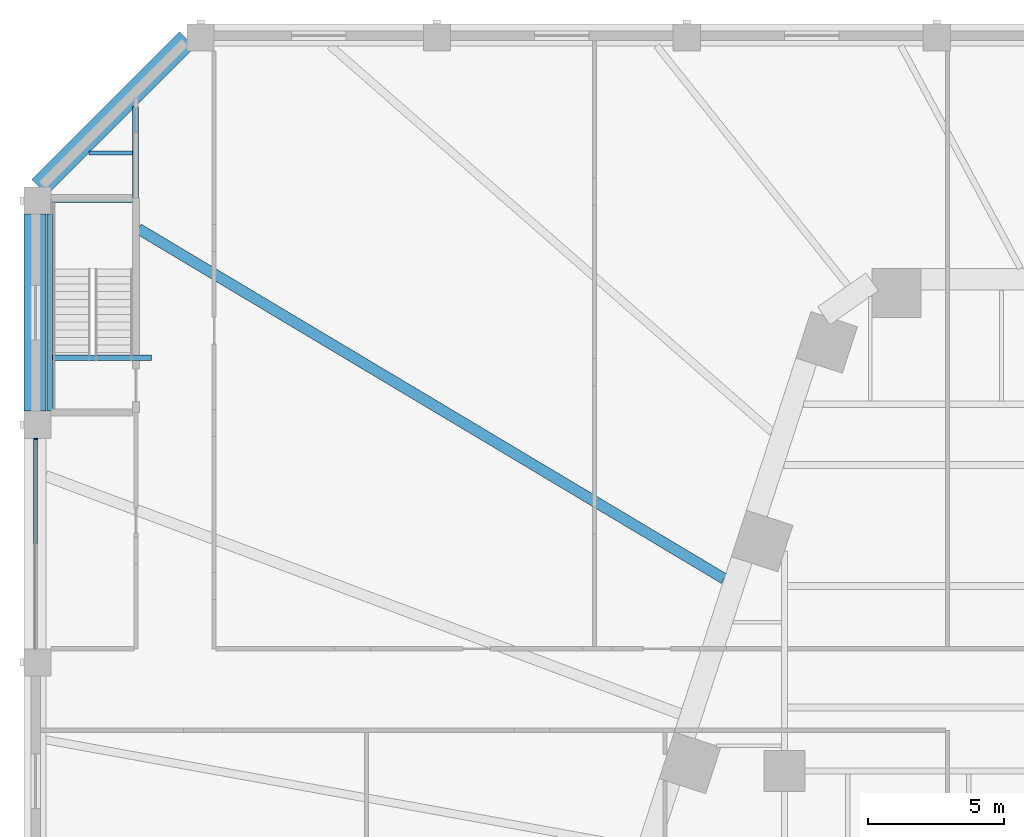
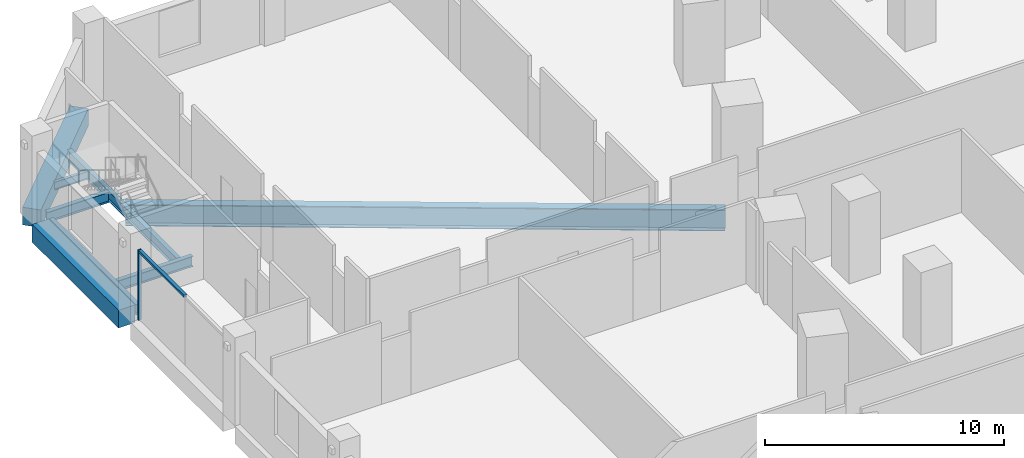
# One storey, part 10 of 33: 8 beams, 2 members, 1 element without a shape of its own.
"""IFC4 building model written with IfcOpenShell, lengths in metres."""

from ifc_helpers import new_model, si_unit, direction, frame, origin, origin_2d, place, context, subcontext, project, spatial, rectangle, i_section, extrude, material, layer, layer_set, material_profile, profile_set, type_object, element, aggregate, save


model = new_model("IFC4")

# Units and contexts
model_context = context("Model", 3, precision=1e-05, world=origin(), true_north=direction((0.0, 1.0)))
body_context = subcontext(model_context, "Body", "Model", "MODEL_VIEW")
ifc_project = project(units=[si_unit("LENGTHUNIT", "METRE"), si_unit("AREAUNIT", "SQUARE_METRE"), si_unit("VOLUMEUNIT", "CUBIC_METRE"), si_unit("PLANEANGLEUNIT", "RADIAN"), si_unit("MASSUNIT", "GRAM", prefix="KILO")], contexts=[model_context])

# Site, building, storey
site_placement = place(None, origin())
site = spatial("IfcSite", under=ifc_project, at=site_placement, CompositionType="ELEMENT")
building_placement = place(site_placement, origin())
building = spatial("IfcBuilding", under=site, at=building_placement, Name="Isthmus Gate Tower", CompositionType="ELEMENT")
storey_placement = place(building_placement, frame((0.0, 0.0, 22.5)))
storey = spatial("IfcBuildingStorey", under=building, at=storey_placement, Name="L03", CompositionType="ELEMENT", Elevation=22.5)

# Curtain wall, members
ifc_material_1 = material(Name="Aluminium, pale champagne anodised", Category="aluminium")
ifc_layer = layer(ifc_material_1, 0.14990234375)
ifc_layer_set = layer_set([ifc_layer], Name="CW-3 STOREFRONT CURTAIN WALL 150 DEEP")
curtain_wall_type = type_object("IfcCurtainWallType", Name="CW-3 STOREFRONT CURTAIN WALL 150 DEEP", PredefinedType="NOTDEFINED", material=ifc_layer_set)
curtain_wall_placement = place(storey_placement, origin())
curtain_wall = element("IfcCurtainWall", 1, at=curtain_wall_placement, inside=storey, type_object=curtain_wall_type, Name="CW-3 W L03", PredefinedType="NOTDEFINED")
ifc_material_2 = material(Name="Aluminium, pale champagne anodised", Category="aluminium")
ifc_material_profile_1 = material_profile(ifc_material_2, rectangle(XDim=0.06005859375, YDim=0.14990234375, at=origin_2d()), Name="60x150")
ifc_profile_set_1 = profile_set([ifc_material_profile_1], Name="Aluminium, pale champagne anodised")
member_type_1 = type_object("IfcMemberType", Name="CW-3 MULLION 60 X 150", PredefinedType="MULLION", material=ifc_profile_set_1)
member_1_placement = place(storey_placement, frame((-51.574951171875, 25.719970703125, -0.300048828125), z_axis=(0.0, 0.0, 1.0), x_axis=(0.0, -1.0, 0.0)))
member_1 = element("IfcMember", 2, at=member_1_placement, type_object=member_type_1, Name="CW-3 mullion", PredefinedType="MULLION", context=body_context, shape_type="SweptSolid", body=[
    extrude(rectangle(XDim=0.06005859375, YDim=0.14990234375, at=origin_2d()), origin(), (0.0, 0.0, 1.0), 3.60009765625),
])
ifc_material_3 = material(Name="Aluminium, pale champagne anodised", Category="aluminium")
ifc_material_profile_2 = material_profile(ifc_material_3, rectangle(XDim=0.14990234375, YDim=0.1201171875, at=origin_2d()), Name="150x120")
ifc_profile_set_2 = profile_set([ifc_material_profile_2], Name="Aluminium, pale champagne anodised")
member_type_2 = type_object("IfcMemberType", Name="CW-3 TRANSOM 150 X 120", PredefinedType="USERDEFINED", material=ifc_profile_set_2)
member_2_placement = place(storey_placement, frame((-51.574951171875, 25.68994140625, 3.239990234375), z_axis=(0.0, -1.0, 0.0), x_axis=(1.0, 0.0, 0.0)))
member_2 = element("IfcMember", 3, at=member_2_placement, type_object=member_type_2, Name="CW-3 transom", ObjectType="TRANSOM", PredefinedType="USERDEFINED", context=body_context, shape_type="SweptSolid", body=[
    extrude(rectangle(XDim=0.14990234375, YDim=0.1201171875, at=origin_2d()), origin(), (0.0, 0.0, 1.0), 3.81494140625),
])
aggregate(curtain_wall, [member_1, member_2])

# Beams
ifc_material_4 = material(Name="Concrete f'c 70 MPa", Category="concrete")
ifc_material_profile_3 = material_profile(ifc_material_4, rectangle(XDim=0.800048828125, YDim=0.89990234375, at=origin_2d()), Name="RC 800X900")
ifc_profile_set_3 = profile_set([ifc_material_profile_3], Name="Concrete f'c 70 MPa")
beam_type_1 = type_object("IfcBeamType", Name="RC EDGE BEAM 800 X 900", PredefinedType="BEAM", material=ifc_profile_set_3)
beam_1_placement = place(storey_placement, frame((-51.60009765625, 26.75, -0.75), z_axis=(0.0, 1.0, 0.0), x_axis=(-1.0, 0.0, 0.0)))
element("IfcBeam", 4, at=beam_1_placement, inside=storey, type_object=beam_type_1, Name="str-edgebeam-L03-07", PredefinedType="BEAM", context=body_context, shape_type="SweptSolid", body=[
    extrude(rectangle(XDim=0.800048828125, YDim=0.89990234375, at=origin_2d()), origin(), (0.0, 0.0, 1.0), 7.25),
])
beam_2_placement = place(storey_placement, frame((-51.434326171875, 35.0, -0.75), z_axis=(0.707106781187, 0.707106781187, 0.0), x_axis=(-0.707106781187, 0.707106781187, 0.0)))
element("IfcBeam", 5, at=beam_2_placement, inside=storey, type_object=beam_type_1, Name="str-edgebeam-L03-08", PredefinedType="BEAM", context=body_context, shape_type="SweptSolid", body=[
    extrude(rectangle(XDim=0.800048828125, YDim=0.89990234375, at=origin_2d()), origin(), (0.0, 0.0, 1.0), 7.685302734375),
])
ifc_material_5 = material(Name="Structural steel ASTM A992 Gr 50", Category="steel")
ifc_material_profile_4 = material_profile(ifc_material_5, i_section(OverallWidth=0.1396484375, OverallDepth=0.4033203125, WebThickness=0.00634765625, FlangeThickness=0.010986328125, at=origin_2d()), Name="W16X31")
ifc_profile_set_4 = profile_set([ifc_material_profile_4], Name="Structural steel ASTM A992 Gr 50")
beam_type_2 = type_object("IfcBeamType", Name="STEEL FLOOR BEAM W16X31", PredefinedType="JOIST", material=ifc_profile_set_4)
beam_3_placement = place(storey_placement, frame((-49.616943359375, 36.25146484375, -0.501708984375), z_axis=(1.0, 0.0, 0.0), x_axis=(0.0, 1.0, 0.0)))
element("IfcBeam", 6, at=beam_3_placement, inside=storey, type_object=beam_type_2, Name="str-beam-L03-04-00", PredefinedType="JOIST", context=body_context, shape_type="SweptSolid", body=[
    extrude(i_section(OverallWidth=0.1396484375, OverallDepth=0.4033203125, WebThickness=0.00634765625, FlangeThickness=0.010986328125, at=origin_2d()), origin(), (0.0, 0.0, 1.0), 1.616943359375),
])
ifc_material_6 = material(Name="Structural steel ASTM A992 Gr 50", Category="steel")
ifc_material_profile_5 = material_profile(ifc_material_6, i_section(OverallWidth=0.39990234375, OverallDepth=1.089111328125, WebThickness=0.017578125, FlangeThickness=0.03173828125, at=origin_2d()), Name="W44X230")
ifc_profile_set_5 = profile_set([ifc_material_profile_5], Name="Structural steel ASTM A992 Gr 50")
beam_type_3 = type_object("IfcBeamType", Name="STEEL FLOOR BEAM W44X230", PredefinedType="JOIST", material=ifc_profile_set_5)
beam_4_placement = place(storey_placement, frame((-26.225341796875, 20.578125, -0.844482421875), z_axis=(-0.858450144388, 0.512897016564, 0.0), x_axis=(-0.512897016564, -0.858450144388, 0.0)))
element("IfcBeam", 7, at=beam_4_placement, inside=storey, type_object=beam_type_3, Name="str-beam-L03-15-15", PredefinedType="JOIST", context=body_context, shape_type="SweptSolid", body=[
    extrude(i_section(OverallWidth=0.39990234375, OverallDepth=1.089111328125, WebThickness=0.017578125, FlangeThickness=0.03173828125, at=origin_2d()), origin(), (0.0, 0.0, 1.0), 25.12109375),
])
ifc_material_7 = material(Name="Structural steel ASTM A992 Gr 50", Category="steel")
ifc_material_profile_6 = material_profile(ifc_material_7, i_section(OverallWidth=0.20947265625, OverallDepth=0.533447265625, WebThickness=0.009521484375, FlangeThickness=0.015869140625, at=origin_2d()), Name="W21X62")
ifc_profile_set_6 = profile_set([ifc_material_profile_6], Name="Structural steel ASTM A992 Gr 50")
beam_type_4 = type_object("IfcBeamType", Name="STEEL TRIMMER W21X62", PredefinedType="BEAM", material=ifc_profile_set_6)
beam_5_placement = place(storey_placement, frame((-47.895263671875, 28.824951171875, -0.566650390625), z_axis=(0.0, 1.0, 0.0), x_axis=(-1.0, 0.0, 0.0)))
element("IfcBeam", 8, at=beam_5_placement, inside=storey, type_object=beam_type_4, Name="str-trimmer-L03-09", PredefinedType="BEAM", context=body_context, shape_type="SweptSolid", body=[
    extrude(i_section(OverallWidth=0.20947265625, OverallDepth=0.533447265625, WebThickness=0.009521484375, FlangeThickness=0.015869140625, at=origin_2d()), origin(), (0.0, 0.0, 1.0), 9.1484375),
])
beam_6_placement = place(storey_placement, frame((-51.0546875, 34.0, -0.566650390625), z_axis=(0.0, -1.0, 0.0), x_axis=(1.0, 0.0, 0.0)))
element("IfcBeam", 9, at=beam_6_placement, inside=storey, type_object=beam_type_4, Name="str-trimmer-L03-10", PredefinedType="BEAM", context=body_context, shape_type="SweptSolid", body=[
    extrude(i_section(OverallWidth=0.20947265625, OverallDepth=0.533447265625, WebThickness=0.009521484375, FlangeThickness=0.015869140625, at=origin_2d()), origin(), (0.0, 0.0, 1.0), 7.25),
])
beam_7_placement = place(storey_placement, frame((-48.0, 34.52978515625, -0.566650390625), z_axis=(-1.0, 0.0, 0.0), x_axis=(0.0, -1.0, 0.0)))
element("IfcBeam", 10, at=beam_7_placement, inside=storey, type_object=beam_type_4, Name="str-trimmer-L03-19", PredefinedType="BEAM", context=body_context, shape_type="SweptSolid", body=[
    extrude(i_section(OverallWidth=0.20947265625, OverallDepth=0.533447265625, WebThickness=0.009521484375, FlangeThickness=0.015869140625, at=origin_2d()), origin(), (0.0, 0.0, 1.0), 3.0),
])
beam_8_placement = place(storey_placement, frame((-50.949951171875, 28.72021484375, -0.566650390625), z_axis=(1.0, 0.0, 0.0), x_axis=(0.0, 1.0, 0.0)))
element("IfcBeam", 11, at=beam_8_placement, inside=storey, type_object=beam_type_4, Name="str-trimmer-L03-20", PredefinedType="BEAM", context=body_context, shape_type="SweptSolid", body=[
    extrude(i_section(OverallWidth=0.20947265625, OverallDepth=0.533447265625, WebThickness=0.009521484375, FlangeThickness=0.015869140625, at=origin_2d()), origin(), (0.0, 0.0, 1.0), 3.64990234375),
])

save(model, "model.ifc")
